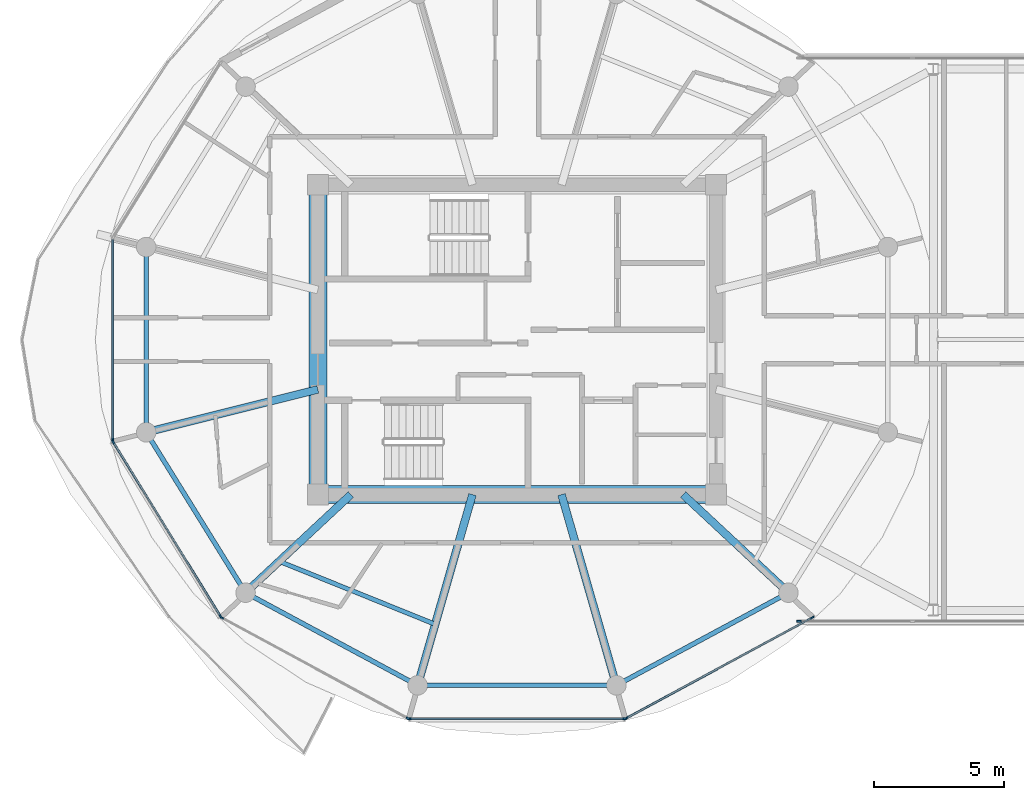
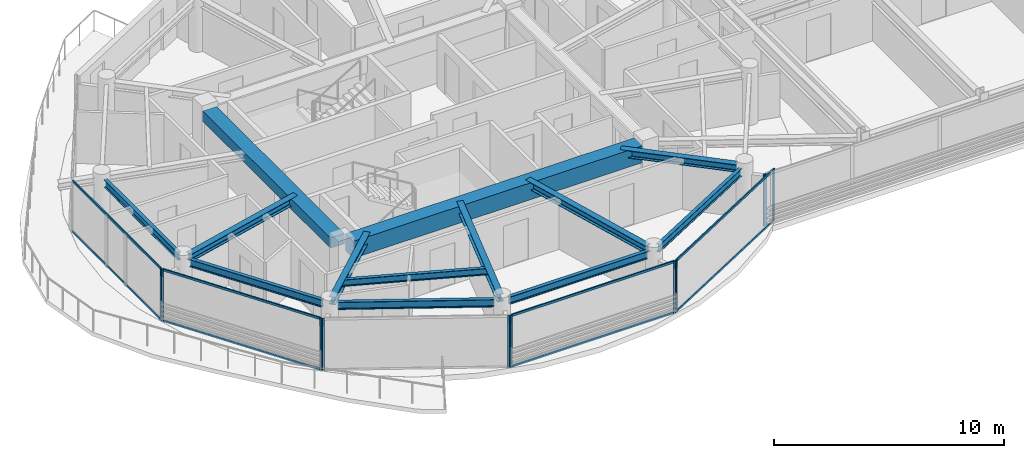
# One storey, part 3 of 23: 18 members, 13 beams, 6 elements without a shape of their own.
"""IFC4 building model written with IfcOpenShell, lengths in metres."""

from ifc_helpers import new_model, si_unit, direction, frame, origin, origin_2d, place, context, subcontext, project, spatial, rectangle, i_section, extrude, source, transform, mapped, material, layer, layer_set, material_profile, profile_set, type_object, type_shapes, element, aggregate, save


model = new_model("IFC4")

# Units and contexts
model_context = context("Model", 3, precision=1e-05, world=origin(), true_north=direction((0.0, 1.0)))
body_context = subcontext(model_context, "Body", "Model", "MODEL_VIEW")
ifc_project = project(units=[si_unit("LENGTHUNIT", "METRE"), si_unit("AREAUNIT", "SQUARE_METRE"), si_unit("VOLUMEUNIT", "CUBIC_METRE"), si_unit("PLANEANGLEUNIT", "RADIAN"), si_unit("MASSUNIT", "GRAM", prefix="KILO")], contexts=[model_context])

# Site, building, storey
site_placement = place(None, origin())
site = spatial("IfcSite", under=ifc_project, at=site_placement, CompositionType="ELEMENT")
building_placement = place(site_placement, origin())
building = spatial("IfcBuilding", under=site, at=building_placement, Name="Norrkilde Senior Care Towers", CompositionType="ELEMENT")
storey_placement = place(building_placement, frame((0.0, 0.0, 207.800048828125)))
storey = spatial("IfcBuildingStorey", under=building, at=storey_placement, Name="L64", CompositionType="ELEMENT", Elevation=207.800048828125)

# Beams
ifc_material_1 = material(Name="Concrete C60/75", Category="concrete")
ifc_material_profile_1 = material_profile(ifc_material_1, rectangle(XDim=0.699951171875, YDim=0.89990234375, at=origin_2d()), Name="RC BM 700x900")
ifc_profile_set_1 = profile_set([ifc_material_profile_1], Name="Concrete C60/75")
beam_type_1 = type_object("IfcBeamType", Name="Core Coupling Girder 700x900", PredefinedType="USERDEFINED", material=ifc_profile_set_1)
shared_shape_1 = source(origin(), body_context, "Body", "SweptSolid", [
    extrude(rectangle(XDim=0.699951171875, YDim=0.89990234375, at=origin_2d()), origin(), (0.0, 0.0, 1.0), 14.5400390625),
])
type_shapes(beam_type_1, [shared_shape_1])
beam_1_placement = place(storey_placement, frame((-35.27001953125, -5.949951171875, 2.31005859375), z_axis=(1.0, 0.0, 0.0), x_axis=(0.0, 1.0, 0.0)))
element("IfcBeam", 1, at=beam_1_placement, inside=storey, type_object=beam_type_1, Name="L64 Core W S Coupling Girder", ObjectType="GIRDER", PredefinedType="USERDEFINED", context=body_context, shape_type="MappedRepresentation", body=[
    mapped(shared_shape_1, transform((0.0, 0.0, 0.0), x_axis=(1.0, 0.0, 0.0), y_axis=(0.0, 1.0, 0.0), z_axis=(0.0, 0.0, 1.0), scale=1.0)),
])
ifc_material_profile_2 = material_profile(ifc_material_1, rectangle(XDim=0.699951171875, YDim=0.550048828125, at=origin_2d()), Name="RC BM 700x550")
ifc_profile_set_2 = profile_set([ifc_material_profile_2], Name="Concrete C60/75")
beam_type_2 = type_object("IfcBeamType", Name="Core Portal Coupling Beam 700x550", PredefinedType="USERDEFINED", material=ifc_profile_set_2)
shared_shape_2 = source(origin(), body_context, "Body", "SweptSolid", [
    extrude(rectangle(XDim=0.699951171875, YDim=0.550048828125, at=origin_2d()), origin(), (0.0, 0.0, 1.0), 11.14013671875),
])
type_shapes(beam_type_2, [shared_shape_2])
beam_2_placement = place(storey_placement, frame((-35.64990234375, -5.570068359375, 2.48486328125), z_axis=(0.0, 1.0, 0.0), x_axis=(-1.0, 0.0, 0.0)))
element("IfcBeam", 2, at=beam_2_placement, inside=storey, type_object=beam_type_2, Name="L64 Core W W Coupling Girder", ObjectType="GIRDER", PredefinedType="USERDEFINED", context=body_context, shape_type="MappedRepresentation", body=[
    mapped(shared_shape_2, transform((0.0, 0.0, 0.0), x_axis=(1.0, 0.0, 0.0), y_axis=(0.0, 1.0, 0.0), z_axis=(0.0, 0.0, 1.0), scale=1.0)),
])
ifc_material_2 = material(Name="Steel S355", Category="steel")
ifc_material_profile_3 = material_profile(ifc_material_2, i_section(OverallWidth=0.179931640625, OverallDepth=0.39990234375, WebThickness=0.008544921875, FlangeThickness=0.013427734375, FilletRadius=0.02099609375, at=origin_2d()), Name="IPE 400")
ifc_profile_set_3 = profile_set([ifc_material_profile_3], Name="Steel S355")
beam_type_3 = type_object("IfcBeamType", Name="Perimeter Ring Spandrel Z4 IPE400", PredefinedType="SPANDREL", material=ifc_profile_set_3)
shared_shape_3 = source(origin(), body_context, "Body", "SweptSolid", [
    extrude(i_section(OverallWidth=0.179931640625, OverallDepth=0.39990234375, WebThickness=0.008544921875, FlangeThickness=0.013427734375, FilletRadius=0.02099609375, at=origin_2d()), origin(), (0.0, 0.0, 1.0), 6.58056640625),
])
beam_3_placement = place(storey_placement, frame((-42.071044921875, -3.843505859375, 2.56005859375), z_axis=(0.526529583789, -0.850156807533, 0.0), x_axis=(0.850156807533, 0.526529583789, 0.0)))
element("IfcBeam", 3, at=beam_3_placement, inside=storey, type_object=beam_type_3, Name="L64 Drum W Perimeter Spandrel 07", PredefinedType="SPANDREL", context=body_context, shape_type="MappedRepresentation", body=[
    mapped(shared_shape_3, transform((0.0, 0.0, 0.0), x_axis=(1.0, 0.0, 0.0), y_axis=(0.0, 1.0, 0.0), z_axis=(0.0, 0.0, 1.0), scale=1.0)),
])
ifc_material_profile_4 = material_profile(ifc_material_2, i_section(OverallWidth=0.300048828125, OverallDepth=0.39990234375, WebThickness=0.013427734375, FlangeThickness=0.02392578125, FilletRadius=0.027099609375, at=origin_2d()), Name="HEB 400")
ifc_profile_set_4 = profile_set([ifc_material_profile_4], Name="Steel S355")
beam_type_4 = type_object("IfcBeamType", Name="Radial Floor Beam Z4 HEB400", PredefinedType="BEAM", material=ifc_profile_set_4)
shared_shape_4 = source(origin(), body_context, "Body", "SweptSolid", [
    extrude(i_section(OverallWidth=0.300048828125, OverallDepth=0.39990234375, WebThickness=0.013427734375, FlangeThickness=0.02392578125, FilletRadius=0.027099609375, at=origin_2d()), origin(), (0.0, 0.0, 1.0), 6.465087890625),
])
beam_4_placement = place(storey_placement, frame((-35.64990234375, -1.910888671875, 2.56005859375), z_axis=(-0.970195788563, -0.242322371758, 0.0), x_axis=(0.242322371758, -0.970195788563, 0.0)))
element("IfcBeam", 4, at=beam_4_placement, inside=storey, type_object=beam_type_4, Name="L64 Drum W Radial Floor Beam 07", PredefinedType="BEAM", context=body_context, shape_type="MappedRepresentation", body=[
    mapped(shared_shape_4, transform((0.0, 0.0, 0.0), x_axis=(1.0, 0.0, 0.0), y_axis=(0.0, 1.0, 0.0), z_axis=(0.0, 0.0, 1.0), scale=1.0)),
])
shared_shape_5 = source(origin(), body_context, "Body", "SweptSolid", [
    extrude(i_section(OverallWidth=0.179931640625, OverallDepth=0.39990234375, WebThickness=0.008544921875, FlangeThickness=0.013427734375, FilletRadius=0.02099609375, at=origin_2d()), origin(), (0.0, 0.0, 1.0), 6.839111328125),
])
for number, where, z_axis, x_axis, name in (
    (5, (-38.134765625, -9.881591796875, 2.56005859375), (0.880563930732, -0.473927382511, 0.0), (0.473927382511, 0.880563930732, 0.0), "L64 Drum W Perimeter Spandrel 08"),
    (6, (-23.887451171875, -13.122802734375, 2.56005859375), (0.880563930732, 0.473927382511, 0.0), (-0.473927382511, 0.880563930732, 0.0), "L64 Drum W Perimeter Spandrel 10"),
):
    element("IfcBeam", number, at=place(storey_placement, frame(where, z_axis=z_axis, x_axis=x_axis)), inside=storey, type_object=beam_type_3, Name=name, PredefinedType="SPANDREL", context=body_context, shape_type="MappedRepresentation", body=[
        mapped(shared_shape_5, transform((0.0, 0.0, 0.0), x_axis=(1.0, 0.0, 0.0), y_axis=(0.0, 1.0, 0.0), z_axis=(0.0, 0.0, 1.0), scale=1.0)),
    ])
shared_shape_6 = source(origin(), body_context, "Body", "SweptSolid", [
    extrude(i_section(OverallWidth=0.300048828125, OverallDepth=0.39990234375, WebThickness=0.013427734375, FlangeThickness=0.02392578125, FilletRadius=0.027099609375, at=origin_2d()), origin(), (0.0, 0.0, 1.0), 5.197998046875),
])
for number, where, z_axis, x_axis, name in (
    (7, (-34.3828125, -5.949951171875, 2.56005859375), (-0.731448749334, -0.681896419625, 0.0), (0.681896419625, -0.731448749334, 0.0), "L64 Drum W Radial Floor Beam 08"),
    (8, (-21.6171875, -5.949951171875, 2.56005859375), (0.731448749334, -0.681896419625, 0.0), (0.681896419625, 0.731448749334, 0.0), "L64 Drum W Radial Floor Beam 11"),
):
    element("IfcBeam", number, at=place(storey_placement, frame(where, z_axis=z_axis, x_axis=x_axis)), inside=storey, type_object=beam_type_4, Name=name, PredefinedType="BEAM", context=body_context, shape_type="MappedRepresentation", body=[
        mapped(shared_shape_6, transform((0.0, 0.0, 0.0), x_axis=(1.0, 0.0, 0.0), y_axis=(0.0, 1.0, 0.0), z_axis=(0.0, 0.0, 1.0), scale=1.0)),
    ])
shared_shape_7 = source(origin(), body_context, "Body", "SweptSolid", [
    extrude(i_section(OverallWidth=0.179931640625, OverallDepth=0.39990234375, WebThickness=0.008544921875, FlangeThickness=0.013427734375, FilletRadius=0.02099609375, at=origin_2d()), origin(), (0.0, 0.0, 1.0), 6.96533203125),
])
beam_5_placement = place(storey_placement, frame((-31.482666015625, -13.281494140625, 2.56005859375), z_axis=(1.0, 0.0, 0.0), x_axis=(0.0, 1.0, 0.0)))
element("IfcBeam", 9, at=beam_5_placement, inside=storey, type_object=beam_type_3, Name="L64 Drum W Perimeter Spandrel 09", PredefinedType="SPANDREL", context=body_context, shape_type="MappedRepresentation", body=[
    mapped(shared_shape_7, transform((0.0, 0.0, 0.0), x_axis=(1.0, 0.0, 0.0), y_axis=(0.0, 1.0, 0.0), z_axis=(0.0, 0.0, 1.0), scale=1.0)),
])
shared_shape_8 = source(origin(), body_context, "Body", "SweptSolid", [
    extrude(i_section(OverallWidth=0.300048828125, OverallDepth=0.39990234375, WebThickness=0.013427734375, FlangeThickness=0.02392578125, FilletRadius=0.027099609375, at=origin_2d()), origin(), (0.0, 0.0, 1.0), 7.29345703125),
])
type_shapes(beam_type_4, [shared_shape_4, shared_shape_6, shared_shape_8])
for number, where, z_axis, x_axis, name in (
    (10, (-29.710205078125, -5.949951171875, 2.56005859375), (-0.276263751906, -0.961081858836, 0.0), (0.961081858836, -0.276263751906, 0.0), "L64 Drum W Radial Floor Beam 09"),
    (11, (-26.289794921875, -5.949951171875, 2.56005859375), (0.276263751906, -0.961081858836, 0.0), (0.961081858836, 0.276263751906, 0.0), "L64 Drum W Radial Floor Beam 10"),
):
    element("IfcBeam", number, at=place(storey_placement, frame(where, z_axis=z_axis, x_axis=x_axis)), inside=storey, type_object=beam_type_4, Name=name, PredefinedType="BEAM", context=body_context, shape_type="MappedRepresentation", body=[
        mapped(shared_shape_8, transform((0.0, 0.0, 0.0), x_axis=(1.0, 0.0, 0.0), y_axis=(0.0, 1.0, 0.0), z_axis=(0.0, 0.0, 1.0), scale=1.0)),
    ])
shared_shape_9 = source(origin(), body_context, "Body", "SweptSolid", [
    extrude(i_section(OverallWidth=0.179931640625, OverallDepth=0.39990234375, WebThickness=0.008544921875, FlangeThickness=0.013427734375, FilletRadius=0.02099609375, at=origin_2d()), origin(), (0.0, 0.0, 1.0), 6.44775390625),
])
type_shapes(beam_type_3, [shared_shape_3, shared_shape_5, shared_shape_7, shared_shape_9])
beam_6_placement = place(storey_placement, frame((-42.247314453125, 3.223876953125, 2.56005859375), z_axis=(0.0, -1.0, 0.0), x_axis=(1.0, 0.0, 0.0)))
element("IfcBeam", 12, at=beam_6_placement, inside=storey, type_object=beam_type_3, Name="L64 Drum W Perimeter Spandrel 06", PredefinedType="SPANDREL", context=body_context, shape_type="MappedRepresentation", body=[
    mapped(shared_shape_9, transform((0.0, 0.0, 0.0), x_axis=(1.0, 0.0, 0.0), y_axis=(0.0, 1.0, 0.0), z_axis=(0.0, 0.0, 1.0), scale=1.0)),
])
ifc_material_profile_5 = material_profile(ifc_material_2, i_section(OverallWidth=0.169921875, OverallDepth=0.360107421875, WebThickness=0.008056640625, FlangeThickness=0.0126953125, FilletRadius=0.01806640625, at=origin_2d()), Name="IPE 360")
ifc_profile_set_5 = profile_set([ifc_material_profile_5], Name="Steel S355")
beam_type_5 = type_object("IfcBeamType", Name="Secondary Floor Joist IPE360", PredefinedType="JOIST", material=ifc_profile_set_5)
shared_shape_10 = source(origin(), body_context, "Body", "SweptSolid", [
    extrude(i_section(OverallWidth=0.169921875, OverallDepth=0.360107421875, WebThickness=0.008056640625, FlangeThickness=0.0126953125, FilletRadius=0.01806640625, at=origin_2d()), origin(), (0.0, 0.0, 1.0), 6.461669921875),
])
type_shapes(beam_type_5, [shared_shape_10])
beam_7_placement = place(storey_placement, frame((-37.134765625, -8.515380859375, 2.579833984375), z_axis=(0.927225942298, -0.374502405772, 0.0), x_axis=(0.374502405772, 0.927225942298, 0.0)))
element("IfcBeam", 13, at=beam_7_placement, inside=storey, type_object=beam_type_5, Name="L64 Drum W Secondary Floor Joist 3", PredefinedType="JOIST", context=body_context, shape_type="MappedRepresentation", body=[
    mapped(shared_shape_10, transform((0.0, 0.0, 0.0), x_axis=(1.0, 0.0, 0.0), y_axis=(0.0, 1.0, 0.0), z_axis=(0.0, 0.0, 1.0), scale=1.0)),
])

# Curtain wall, members
ifc_material_3 = material(Name="Triple Low-E Insulated Glazing", Category="glass")
ifc_layer_1 = layer(ifc_material_3, 0.18505859375)
ifc_layer_set_1 = layer_set([ifc_layer_1], Name="Triple Low-E Insulated Glazing")
curtain_wall_type_1 = type_object("IfcCurtainWallType", Name="CW6 Zone 4 Crown Pavilion Curtain Wall", PredefinedType="NOTDEFINED", material=ifc_layer_set_1)
curtain_wall_1_placement = place(storey_placement, origin())
curtain_wall_1 = element("IfcCurtainWall", 14, at=curtain_wall_1_placement, inside=storey, type_object=curtain_wall_type_1, Name="L64 Drum W Curtain Wall 06", PredefinedType="NOTDEFINED")
ifc_material_4 = material(Name="Anodised Aluminium", Category="aluminium")
ifc_material_profile_6 = material_profile(ifc_material_4, rectangle(XDim=0.06005859375, YDim=0.1201171875, at=origin_2d()), Name="ALU TRAN 60x120")
ifc_profile_set_6 = profile_set([ifc_material_profile_6], Name="Anodised Aluminium")
member_type_1 = type_object("IfcMemberType", Name="Curtain Wall Transom Typical 60x120", PredefinedType="USERDEFINED", material=ifc_profile_set_6)
shared_shape_11 = source(origin(), body_context, "Body", "SweptSolid", [
    extrude(rectangle(XDim=0.06005859375, YDim=0.1201171875, at=origin_2d()), origin(), (0.0, 0.0, 1.0), 7.808837890625),
])
member_1_placement = place(storey_placement, frame((-39.404296875, -10.60791015625, 0.030029296875), z_axis=(-0.524250924101, 0.851563837055, 0.0), x_axis=(-0.851563837055, -0.524250924101, 0.0)))
member_1 = element("IfcMember", 15, at=member_1_placement, type_object=member_type_1, Name="CW-6 transom 1.1", ObjectType="TRANSOM", PredefinedType="USERDEFINED", context=body_context, shape_type="MappedRepresentation", body=[
    mapped(shared_shape_11, transform((0.0, 0.0, 0.0), x_axis=(1.0, 0.0, 0.0), y_axis=(0.0, 1.0, 0.0), z_axis=(0.0, 0.0, 1.0), scale=1.0)),
])
member_2_placement = place(storey_placement, frame((-39.404296875, -10.60791015625, 2.72998046875), z_axis=(-0.524250924101, 0.851563837055, 0.0), x_axis=(-0.851563837055, -0.524250924101, 0.0)))
member_2 = element("IfcMember", 16, at=member_2_placement, type_object=member_type_1, Name="CW-6 transom 1.2", ObjectType="TRANSOM", PredefinedType="USERDEFINED", context=body_context, shape_type="MappedRepresentation", body=[
    mapped(shared_shape_11, transform((0.0, 0.0, 0.0), x_axis=(1.0, 0.0, 0.0), y_axis=(0.0, 1.0, 0.0), z_axis=(0.0, 0.0, 1.0), scale=1.0)),
])

curtain_wall_2_placement = place(storey_placement, origin())
curtain_wall_2 = element("IfcCurtainWall", 17, at=curtain_wall_2_placement, inside=storey, type_object=curtain_wall_type_1, Name="L64 Drum W Curtain Wall 08", PredefinedType="NOTDEFINED")
shared_shape_12 = source(origin(), body_context, "Body", "SweptSolid", [
    extrude(rectangle(XDim=0.06005859375, YDim=0.1201171875, at=origin_2d()), origin(), (0.0, 0.0, 1.0), 8.19384765625),
])
member_3_placement = place(storey_placement, frame((-23.903076171875, -14.566162109375, 0.030029296875), z_axis=(-1.0, 0.0, 0.0), x_axis=(0.0, -1.0, 0.0)))
member_3 = element("IfcMember", 18, at=member_3_placement, type_object=member_type_1, Name="CW-6 transom 1.1", ObjectType="TRANSOM", PredefinedType="USERDEFINED", context=body_context, shape_type="MappedRepresentation", body=[
    mapped(shared_shape_12, transform((0.0, 0.0, 0.0), x_axis=(1.0, 0.0, 0.0), y_axis=(0.0, 1.0, 0.0), z_axis=(0.0, 0.0, 1.0), scale=1.0)),
])
member_4_placement = place(storey_placement, frame((-23.903076171875, -14.566162109375, 2.72998046875), z_axis=(-1.0, 0.0, 0.0), x_axis=(0.0, -1.0, 0.0)))
member_4 = element("IfcMember", 19, at=member_4_placement, type_object=member_type_1, Name="CW-6 transom 1.2", ObjectType="TRANSOM", PredefinedType="USERDEFINED", context=body_context, shape_type="MappedRepresentation", body=[
    mapped(shared_shape_12, transform((0.0, 0.0, 0.0), x_axis=(1.0, 0.0, 0.0), y_axis=(0.0, 1.0, 0.0), z_axis=(0.0, 0.0, 1.0), scale=1.0)),
])

curtain_wall_3_placement = place(storey_placement, origin())
curtain_wall_3 = element("IfcCurtainWall", 20, at=curtain_wall_3_placement, inside=storey, type_object=curtain_wall_type_1, Name="L64 Drum W Curtain Wall 09", PredefinedType="NOTDEFINED")
shared_shape_13 = source(origin(), body_context, "Body", "SweptSolid", [
    extrude(rectangle(XDim=0.06005859375, YDim=0.1201171875, at=origin_2d()), origin(), (0.0, 0.0, 1.0), 8.0673828125),
])
member_5_placement = place(storey_placement, frame((-16.686767578125, -10.694091796875, 0.030029296875), z_axis=(-0.87937750072, -0.476125205411, 0.0), x_axis=(0.476125205411, -0.87937750072, 0.0)))
member_5 = element("IfcMember", 21, at=member_5_placement, type_object=member_type_1, Name="CW-6 transom 1.1", ObjectType="TRANSOM", PredefinedType="USERDEFINED", context=body_context, shape_type="MappedRepresentation", body=[
    mapped(shared_shape_13, transform((0.0, 0.0, 0.0), x_axis=(1.0, 0.0, 0.0), y_axis=(0.0, 1.0, 0.0), z_axis=(0.0, 0.0, 1.0), scale=1.0)),
])
member_6_placement = place(storey_placement, frame((-16.686767578125, -10.694091796875, 2.72998046875), z_axis=(-0.87937750072, -0.476125205411, 0.0), x_axis=(0.476125205411, -0.87937750072, 0.0)))
member_6 = element("IfcMember", 22, at=member_6_placement, type_object=member_type_1, Name="CW-6 transom 1.2", ObjectType="TRANSOM", PredefinedType="USERDEFINED", context=body_context, shape_type="MappedRepresentation", body=[
    mapped(shared_shape_13, transform((0.0, 0.0, 0.0), x_axis=(1.0, 0.0, 0.0), y_axis=(0.0, 1.0, 0.0), z_axis=(0.0, 0.0, 1.0), scale=1.0)),
])

curtain_wall_4_placement = place(storey_placement, origin())
curtain_wall_4 = element("IfcCurtainWall", 23, at=curtain_wall_4_placement, inside=storey, type_object=curtain_wall_type_1, Name="L64 Drum W Curtain Wall 05", PredefinedType="NOTDEFINED")
shared_shape_14 = source(origin(), body_context, "Body", "SweptSolid", [
    extrude(rectangle(XDim=0.06005859375, YDim=0.1201171875, at=origin_2d()), origin(), (0.0, 0.0, 1.0), 7.67578125),
])
type_shapes(member_type_1, [shared_shape_11, shared_shape_12, shared_shape_13, shared_shape_14])
member_7_placement = place(storey_placement, frame((-43.531982421875, -3.837890625, 0.030029296875), z_axis=(0.0, 1.0, 0.0), x_axis=(-1.0, 0.0, 0.0)))
member_7 = element("IfcMember", 24, at=member_7_placement, type_object=member_type_1, Name="CW-6 transom 1.1", ObjectType="TRANSOM", PredefinedType="USERDEFINED", context=body_context, shape_type="MappedRepresentation", body=[
    mapped(shared_shape_14, transform((0.0, 0.0, 0.0), x_axis=(1.0, 0.0, 0.0), y_axis=(0.0, 1.0, 0.0), z_axis=(0.0, 0.0, 1.0), scale=1.0)),
])
member_8_placement = place(storey_placement, frame((-43.531982421875, -3.837890625, 2.72998046875), z_axis=(0.0, 1.0, 0.0), x_axis=(-1.0, 0.0, 0.0)))
member_8 = element("IfcMember", 25, at=member_8_placement, type_object=member_type_1, Name="CW-6 transom 1.2", ObjectType="TRANSOM", PredefinedType="USERDEFINED", context=body_context, shape_type="MappedRepresentation", body=[
    mapped(shared_shape_14, transform((0.0, 0.0, 0.0), x_axis=(1.0, 0.0, 0.0), y_axis=(0.0, 1.0, 0.0), z_axis=(0.0, 0.0, 1.0), scale=1.0)),
])
ifc_material_profile_7 = material_profile(ifc_material_4, rectangle(XDim=0.06494140625, YDim=0.14990234375, at=origin_2d()), Name="ALU MULL 65x150")
ifc_profile_set_7 = profile_set([ifc_material_profile_7], Name="Anodised Aluminium")
member_type_2 = type_object("IfcMemberType", Name="Curtain Wall Mullion Z3-Z4 65x150", PredefinedType="MULLION", material=ifc_profile_set_7)
shared_shape_15 = source(origin(), body_context, "Body", "SweptSolid", [
    extrude(rectangle(XDim=0.06494140625, YDim=0.14990234375, at=origin_2d()), origin(), (0.0, 0.0, 1.0), 2.760009765625),
])
type_shapes(member_type_2, [shared_shape_15])
member_9_placement = place(storey_placement, frame((-43.531982421875, -3.87060546875, 0.0), z_axis=(0.0, 0.0, 1.0), x_axis=(-1.0, 0.0, 0.0)))
member_9 = element("IfcMember", 26, at=member_9_placement, type_object=member_type_2, Name="CW-6 mullion 1", PredefinedType="MULLION", context=body_context, shape_type="MappedRepresentation", body=[
    mapped(shared_shape_15, transform((0.0, 0.0, 0.0), x_axis=(1.0, 0.0, 0.0), y_axis=(0.0, 1.0, 0.0), z_axis=(0.0, 0.0, 1.0), scale=1.0)),
])
aggregate(curtain_wall_4, [member_9, member_7, member_8])

# Member
member_10_placement = place(storey_placement, frame((-39.38720703125, -10.635498046875, 0.0), z_axis=(0.0, 0.0, 1.0), x_axis=(-0.851562727283, -0.524252726748, 0.0)))
member_10 = element("IfcMember", 27, at=member_10_placement, type_object=member_type_2, Name="CW-6 mullion 1", PredefinedType="MULLION", context=body_context, shape_type="MappedRepresentation", body=[
    mapped(shared_shape_15, transform((0.0, 0.0, 0.0), x_axis=(1.0, 0.0, 0.0), y_axis=(0.0, 1.0, 0.0), z_axis=(0.0, 0.0, 1.0), scale=1.0)),
])

member_11_placement = place(storey_placement, frame((-43.51513671875, -3.9306640625, 0.0), z_axis=(0.0, 0.0, 1.0), x_axis=(-0.851562727283, -0.524252726748, 0.0)))
member_11 = element("IfcMember", 28, at=member_11_placement, type_object=member_type_2, Name="CW-6 mullion 2", PredefinedType="MULLION", context=body_context, shape_type="MappedRepresentation", body=[
    mapped(shared_shape_15, transform((0.0, 0.0, 0.0), x_axis=(1.0, 0.0, 0.0), y_axis=(0.0, 1.0, 0.0), z_axis=(0.0, 0.0, 1.0), scale=1.0)),
])

aggregate(curtain_wall_1, [member_10, member_11, member_1, member_2])

# Curtain wall, members
curtain_wall_5_placement = place(storey_placement, origin())
curtain_wall_5 = element("IfcCurtainWall", 29, at=curtain_wall_5_placement, inside=storey, type_object=curtain_wall_type_1, Name="L64 Drum W Curtain Wall 07", PredefinedType="NOTDEFINED")
member_12_placement = place(storey_placement, frame((-32.1904296875, -14.55078125, 0.0), z_axis=(0.0, 0.0, 1.0), x_axis=(-0.476132676136, -0.879373455772, 0.0)))
member_12 = element("IfcMember", 30, at=member_12_placement, type_object=member_type_2, Name="CW-6 mullion 1", PredefinedType="MULLION", context=body_context, shape_type="MappedRepresentation", body=[
    mapped(shared_shape_15, transform((0.0, 0.0, 0.0), x_axis=(1.0, 0.0, 0.0), y_axis=(0.0, 1.0, 0.0), z_axis=(0.0, 0.0, 1.0), scale=1.0)),
])
member_13_placement = place(storey_placement, frame((-39.341796875, -10.6787109375, 0.0), z_axis=(0.0, 0.0, 1.0), x_axis=(-0.476132676136, -0.879373455772, 0.0)))
member_13 = element("IfcMember", 31, at=member_13_placement, type_object=member_type_2, Name="CW-6 mullion 2", PredefinedType="MULLION", context=body_context, shape_type="MappedRepresentation", body=[
    mapped(shared_shape_15, transform((0.0, 0.0, 0.0), x_axis=(1.0, 0.0, 0.0), y_axis=(0.0, 1.0, 0.0), z_axis=(0.0, 0.0, 1.0), scale=1.0)),
])
aggregate(curtain_wall_5, [member_12, member_13])

# Member
member_14_placement = place(storey_placement, frame((-23.87060546875, -14.566162109375, 0.0), z_axis=(0.0, 0.0, 1.0), x_axis=(0.0, -1.0, 0.0)))
member_14 = element("IfcMember", 32, at=member_14_placement, type_object=member_type_2, Name="CW-6 mullion 1", PredefinedType="MULLION", context=body_context, shape_type="MappedRepresentation", body=[
    mapped(shared_shape_15, transform((0.0, 0.0, 0.0), x_axis=(1.0, 0.0, 0.0), y_axis=(0.0, 1.0, 0.0), z_axis=(0.0, 0.0, 1.0), scale=1.0)),
])

member_15_placement = place(storey_placement, frame((-32.12939453125, -14.566162109375, 0.0), z_axis=(0.0, 0.0, 1.0), x_axis=(0.0, -1.0, 0.0)))
member_15 = element("IfcMember", 33, at=member_15_placement, type_object=member_type_2, Name="CW-6 mullion 2", PredefinedType="MULLION", context=body_context, shape_type="MappedRepresentation", body=[
    mapped(shared_shape_15, transform((0.0, 0.0, 0.0), x_axis=(1.0, 0.0, 0.0), y_axis=(0.0, 1.0, 0.0), z_axis=(0.0, 0.0, 1.0), scale=1.0)),
])

aggregate(curtain_wall_2, [member_14, member_15, member_3, member_4])

member_16_placement = place(storey_placement, frame((-16.658203125, -10.6787109375, 0.0), z_axis=(0.0, 0.0, 1.0), x_axis=(0.476132676136, -0.879373455772, 0.0)))
member_16 = element("IfcMember", 34, at=member_16_placement, type_object=member_type_2, Name="CW-6 mullion 1", PredefinedType="MULLION", context=body_context, shape_type="MappedRepresentation", body=[
    mapped(shared_shape_15, transform((0.0, 0.0, 0.0), x_axis=(1.0, 0.0, 0.0), y_axis=(0.0, 1.0, 0.0), z_axis=(0.0, 0.0, 1.0), scale=1.0)),
])

member_17_placement = place(storey_placement, frame((-23.8095703125, -14.55078125, 0.0), z_axis=(0.0, 0.0, 1.0), x_axis=(0.476132676136, -0.879373455772, 0.0)))
member_17 = element("IfcMember", 35, at=member_17_placement, type_object=member_type_2, Name="CW-6 mullion 2", PredefinedType="MULLION", context=body_context, shape_type="MappedRepresentation", body=[
    mapped(shared_shape_15, transform((0.0, 0.0, 0.0), x_axis=(1.0, 0.0, 0.0), y_axis=(0.0, 1.0, 0.0), z_axis=(0.0, 0.0, 1.0), scale=1.0)),
])

aggregate(curtain_wall_3, [member_16, member_17, member_5, member_6])

# Curtain wall, member
ifc_layer_2 = layer(ifc_material_3, 0.2099609375)
ifc_layer_set_2 = layer_set([ifc_layer_2], Name="Triple Low-E Insulated Glazing")
curtain_wall_type_2 = type_object("IfcCurtainWallType", Name="CW5 Sky-Gate Bridge Curtain Wall", PredefinedType="NOTDEFINED", material=ifc_layer_set_2)
curtain_wall_6_placement = place(storey_placement, origin())
curtain_wall_6 = element("IfcCurtainWall", 36, at=curtain_wall_6_placement, inside=storey, type_object=curtain_wall_type_2, Name="L64 Sky-Gate Bridge South Curtain Wall 3", PredefinedType="NOTDEFINED")
ifc_material_profile_8 = material_profile(ifc_material_4, rectangle(XDim=0.070068359375, YDim=0.169921875, at=origin_2d()), Name="ALU MULL 70x170")
ifc_profile_set_8 = profile_set([ifc_material_profile_8], Name="Anodised Aluminium")
member_type_3 = type_object("IfcMemberType", Name="Curtain Wall Mullion Heavy 70x170", PredefinedType="MULLION", material=ifc_profile_set_8)
shared_shape_16 = source(origin(), body_context, "Body", "SweptSolid", [
    extrude(rectangle(XDim=0.070068359375, YDim=0.169921875, at=origin_2d()), origin(), (0.0, 0.0, 1.0), 2.760009765625),
])
type_shapes(member_type_3, [shared_shape_16])
member_18_placement = place(storey_placement, frame((-17.1650390625, -10.820068359375, 0.0), z_axis=(0.0, 0.0, 1.0), x_axis=(0.0, -1.0, 0.0)))
member_18 = element("IfcMember", 37, at=member_18_placement, type_object=member_type_3, Name="CW-5 mullion 4", PredefinedType="MULLION", context=body_context, shape_type="MappedRepresentation", body=[
    mapped(shared_shape_16, transform((0.0, 0.0, 0.0), x_axis=(1.0, 0.0, 0.0), y_axis=(0.0, 1.0, 0.0), z_axis=(0.0, 0.0, 1.0), scale=1.0)),
])
aggregate(curtain_wall_6, [member_18])

save(model, "model.ifc")
